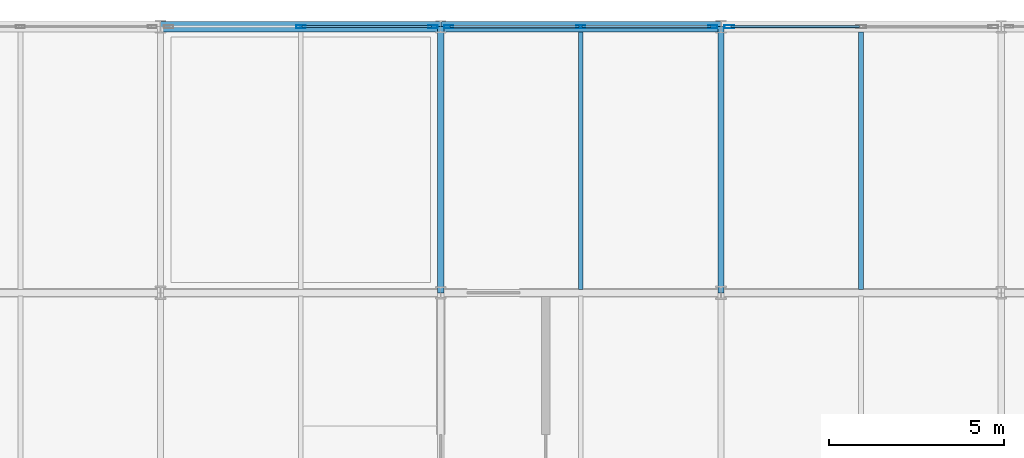
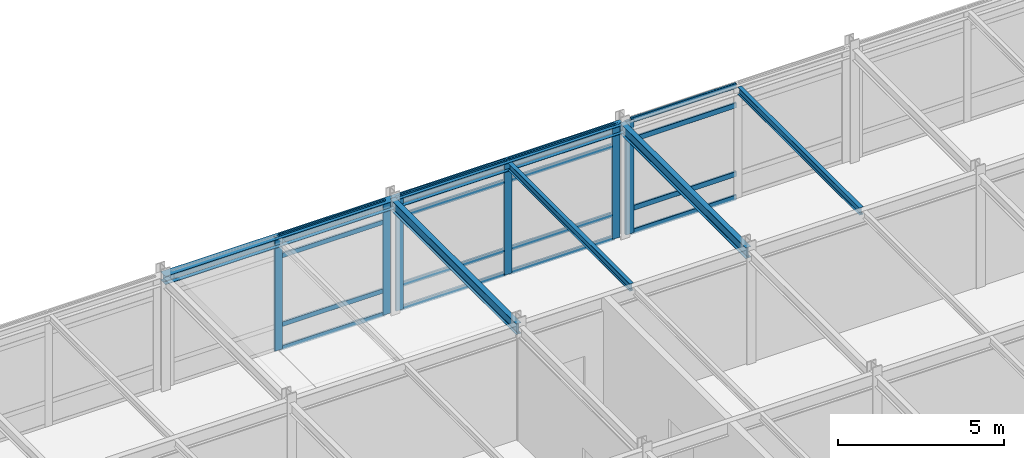
# One storey, part 9 of 16: 22 members, 6 beams, 3 elements without a shape of their own.
"""IFC4 building model written with IfcOpenShell, lengths in metres."""

from ifc_helpers import new_model, si_unit, direction, frame, origin, origin_2d, place, context, subcontext, project, spatial, hollow_rectangle, i_section, extrude, material, layer, layer_set, material_profile, profile_set, type_object, element, aggregate, save


model = new_model("IFC4")

# Units and contexts
model_context = context("Model", 3, precision=1e-05, world=origin(), true_north=direction((0.0, 1.0)))
body_context = subcontext(model_context, "Body", "Model", "MODEL_VIEW")
ifc_project = project(units=[si_unit("LENGTHUNIT", "METRE"), si_unit("AREAUNIT", "SQUARE_METRE"), si_unit("VOLUMEUNIT", "CUBIC_METRE"), si_unit("PLANEANGLEUNIT", "RADIAN"), si_unit("MASSUNIT", "GRAM", prefix="KILO")], contexts=[model_context])

# Site, building, storey
site_placement = place(None, origin())
site = spatial("IfcSite", under=ifc_project, at=site_placement, CompositionType="ELEMENT")
building_placement = place(site_placement, origin())
building = spatial("IfcBuilding", under=site, at=building_placement, Name="Shalkamar Park Central Library", CompositionType="ELEMENT")
storey_placement = place(building_placement, frame((0.0, 0.0, 51.60009765625)))
storey = spatial("IfcBuildingStorey", under=building, at=storey_placement, Name="L13", CompositionType="ELEMENT", Elevation=51.60009765625)

# Beams
ifc_material_1 = material(Name="Steel S355", Category="steel")
ifc_material_profile_1 = material_profile(ifc_material_1, i_section(OverallWidth=0.135009765625, OverallDepth=0.27001953125, WebThickness=0.006591796875, FlangeThickness=0.01025390625, FilletRadius=0.014892578125, at=origin_2d()), Name="IPE 270")
ifc_profile_set_1 = profile_set([ifc_material_profile_1], Name="Steel S355")
beam_type_1 = type_object("IfcBeamType", Name="Composite Floor Joist IPE270", PredefinedType="JOIST", material=ifc_profile_set_1)
for number, where, z_axis, x_axis, name in (
    (1, (193.0, 278.097900390625, 4.044921875), (0.0, 1.0, 0.0), (-1.0, 0.0, 0.0), "Composite Joist 10/F-1 (L13)"),
    (2, (201.0, 278.097900390625, 4.044921875), (0.0, 1.0, 0.0), (-1.0, 0.0, 0.0), "Composite Joist 11/F-1 (L13)"),
):
    element("IfcBeam", number, at=place(storey_placement, frame(where, z_axis=z_axis, x_axis=x_axis)), inside=storey, type_object=beam_type_1, Name=name, PredefinedType="JOIST", context=body_context, shape_type="SweptSolid", body=[
        extrude(i_section(OverallWidth=0.135009765625, OverallDepth=0.27001953125, WebThickness=0.006591796875, FlangeThickness=0.01025390625, FilletRadius=0.014892578125, at=origin_2d()), origin(), (0.0, 0.0, 1.0), 7.35400390625),
    ])

# Curtain wall, members
ifc_material_2 = material(Name="Thermally broken aluminium and triple low-e curtain wall", Category="aluminium")
ifc_layer_1 = layer(ifc_material_2, 0.27001953125)
ifc_layer_set_1 = layer_set([ifc_layer_1], Name="UnitisedCurtainWall_91")
curtain_wall_type_1 = type_object("IfcCurtainWallType", Name="Unitised Curtain Wall 91", PredefinedType="USERDEFINED", material=ifc_layer_set_1)
curtain_wall_1_placement = place(storey_placement, origin())
curtain_wall_1 = element("IfcCurtainWall", 3, at=curtain_wall_1_placement, inside=storey, type_object=curtain_wall_type_1, Name="Unitised Curtain Wall CW-L13-144", ObjectType="UNITISED CURTAIN WALL", PredefinedType="USERDEFINED")
ifc_material_3 = material(Name="Aluminium 6060-T66", Category="aluminium")
ifc_material_profile_2 = material_profile(ifc_material_3, hollow_rectangle(XDim=0.080078125, YDim=0.27001953125, WallThickness=0.0048828125, InnerFilletRadius=0.0048828125, OuterFilletRadius=0.007568359375, at=origin_2d()), Name="ALU 80x270x5")
ifc_profile_set_2 = profile_set([ifc_material_profile_2], Name="Aluminium 6060-T66")
member_type_1 = type_object("IfcMemberType", Name="Curtain Wall Mullion ALU80x270", PredefinedType="MULLION", material=ifc_profile_set_2)
member_1_placement = place(storey_placement, frame((185.00439453125, 285.60009765625, 0.0), z_axis=(0.0, 0.0, 1.0), x_axis=(0.0, 1.0, 0.0)))
member_1 = element("IfcMember", 4, at=member_1_placement, type_object=member_type_1, Name="CW-91 mullion 2", PredefinedType="MULLION", context=body_context, shape_type="SweptSolid", body=[
    extrude(hollow_rectangle(XDim=0.080078125, YDim=0.27001953125, WallThickness=0.0048828125, InnerFilletRadius=0.0048828125, OuterFilletRadius=0.007568359375, at=origin_2d()), origin(), (0.0, 0.0, 1.0), 4.179931640625),
])
member_2_placement = place(storey_placement, frame((188.776611328125, 285.60009765625, 0.0), z_axis=(0.0, 0.0, 1.0), x_axis=(0.0, 1.0, 0.0)))
member_2 = element("IfcMember", 5, at=member_2_placement, type_object=member_type_1, Name="CW-91 mullion 3", PredefinedType="MULLION", context=body_context, shape_type="SweptSolid", body=[
    extrude(hollow_rectangle(XDim=0.080078125, YDim=0.27001953125, WallThickness=0.0048828125, InnerFilletRadius=0.0048828125, OuterFilletRadius=0.007568359375, at=origin_2d()), origin(), (0.0, 0.0, 1.0), 4.179931640625),
])

ifc_layer_2 = layer(ifc_material_2, 0.264892578125)
ifc_layer_set_2 = layer_set([ifc_layer_2], Name="UnitisedCurtainWall_92")
curtain_wall_type_2 = type_object("IfcCurtainWallType", Name="Unitised Curtain Wall 92", PredefinedType="USERDEFINED", material=ifc_layer_set_2)
curtain_wall_2_placement = place(storey_placement, origin())
curtain_wall_2 = element("IfcCurtainWall", 6, at=curtain_wall_2_placement, inside=storey, type_object=curtain_wall_type_2, Name="Unitised Curtain Wall CW-L13-145", ObjectType="UNITISED CURTAIN WALL", PredefinedType="USERDEFINED")
ifc_material_profile_3 = material_profile(ifc_material_3, hollow_rectangle(XDim=0.0849609375, YDim=0.264892578125, WallThickness=0.0048828125, InnerFilletRadius=0.0048828125, OuterFilletRadius=0.007568359375, at=origin_2d()), Name="ALU 85x265x5")
ifc_profile_set_3 = profile_set([ifc_material_profile_3], Name="Aluminium 6060-T66")
member_type_2 = type_object("IfcMemberType", Name="Curtain Wall Mullion ALU85x265", PredefinedType="MULLION", material=ifc_profile_set_3)
member_3_placement = place(storey_placement, frame((189.22607421875, 285.60009765625, 0.0), z_axis=(0.0, 0.0, 1.0), x_axis=(0.0, 1.0, 0.0)))
member_3 = element("IfcMember", 7, at=member_3_placement, type_object=member_type_2, Name="CW-92 mullion 1", PredefinedType="MULLION", context=body_context, shape_type="SweptSolid", body=[
    extrude(hollow_rectangle(XDim=0.0849609375, YDim=0.264892578125, WallThickness=0.0048828125, InnerFilletRadius=0.0048828125, OuterFilletRadius=0.007568359375, at=origin_2d()), origin(), (0.0, 0.0, 1.0), 4.179931640625),
])
member_4_placement = place(storey_placement, frame((192.99560546875, 285.60009765625, 0.0), z_axis=(0.0, 0.0, 1.0), x_axis=(0.0, 1.0, 0.0)))
member_4 = element("IfcMember", 8, at=member_4_placement, type_object=member_type_2, Name="CW-92 mullion 2", PredefinedType="MULLION", context=body_context, shape_type="SweptSolid", body=[
    extrude(hollow_rectangle(XDim=0.0849609375, YDim=0.264892578125, WallThickness=0.0048828125, InnerFilletRadius=0.0048828125, OuterFilletRadius=0.007568359375, at=origin_2d()), origin(), (0.0, 0.0, 1.0), 4.179931640625),
])
member_5_placement = place(storey_placement, frame((196.764892578125, 285.60009765625, 0.0), z_axis=(0.0, 0.0, 1.0), x_axis=(0.0, 1.0, 0.0)))
member_5 = element("IfcMember", 9, at=member_5_placement, type_object=member_type_2, Name="CW-92 mullion 3", PredefinedType="MULLION", context=body_context, shape_type="SweptSolid", body=[
    extrude(hollow_rectangle(XDim=0.0849609375, YDim=0.264892578125, WallThickness=0.0048828125, InnerFilletRadius=0.0048828125, OuterFilletRadius=0.007568359375, at=origin_2d()), origin(), (0.0, 0.0, 1.0), 4.179931640625),
])

# Curtain wall, member
ifc_layer_3 = layer(ifc_material_2, 0.280029296875)
ifc_layer_set_3 = layer_set([ifc_layer_3], Name="UnitisedCurtainWall_93")
curtain_wall_type_3 = type_object("IfcCurtainWallType", Name="Unitised Curtain Wall 93", PredefinedType="USERDEFINED", material=ifc_layer_set_3)
curtain_wall_3_placement = place(storey_placement, origin())
curtain_wall_3 = element("IfcCurtainWall", 10, at=curtain_wall_3_placement, inside=storey, type_object=curtain_wall_type_3, Name="Unitised Curtain Wall CW-L13-146", ObjectType="UNITISED CURTAIN WALL", PredefinedType="USERDEFINED")
ifc_material_profile_4 = material_profile(ifc_material_3, hollow_rectangle(XDim=0.090087890625, YDim=0.280029296875, WallThickness=0.0048828125, InnerFilletRadius=0.0048828125, OuterFilletRadius=0.007568359375, at=origin_2d()), Name="ALU 90x280x5")
ifc_profile_set_4 = profile_set([ifc_material_profile_4], Name="Aluminium 6060-T66")
member_type_3 = type_object("IfcMemberType", Name="Curtain Wall Mullion ALU90x280", PredefinedType="MULLION", material=ifc_profile_set_4)
member_6_placement = place(storey_placement, frame((197.237548828125, 285.60009765625, 0.0), z_axis=(0.0, 0.0, 1.0), x_axis=(0.0, 1.0, 0.0)))
member_6 = element("IfcMember", 11, at=member_6_placement, type_object=member_type_3, Name="CW-93 mullion 1", PredefinedType="MULLION", context=body_context, shape_type="SweptSolid", body=[
    extrude(hollow_rectangle(XDim=0.090087890625, YDim=0.280029296875, WallThickness=0.0048828125, InnerFilletRadius=0.0048828125, OuterFilletRadius=0.007568359375, at=origin_2d()), origin(), (0.0, 0.0, 1.0), 4.179931640625),
])

# Member
ifc_material_profile_5 = material_profile(ifc_material_3, hollow_rectangle(XDim=0.06494140625, YDim=0.175048828125, WallThickness=0.00439453125, InnerFilletRadius=0.00439453125, OuterFilletRadius=0.0068359375, at=origin_2d()), Name="ALU 65x175x4.5")
ifc_profile_set_5 = profile_set([ifc_material_profile_5], Name="Aluminium 6060-T66")
member_type_4 = type_object("IfcMemberType", Name="Curtain Wall Transom ALU65x175", PredefinedType="USERDEFINED", material=ifc_profile_set_5)
member_7_placement = place(storey_placement, frame((185.04443359375, 285.60009765625, 0.032470703125), z_axis=(1.0, 0.0, 0.0), x_axis=(0.0, 1.0, 0.0)))
member_7 = element("IfcMember", 12, at=member_7_placement, type_object=member_type_4, Name="CW-91 transom 2.1", ObjectType="TRANSOM", PredefinedType="USERDEFINED", context=body_context, shape_type="SweptSolid", body=[
    extrude(hollow_rectangle(XDim=0.06494140625, YDim=0.175048828125, WallThickness=0.00439453125, InnerFilletRadius=0.00439453125, OuterFilletRadius=0.0068359375, at=origin_2d()), origin(), (0.0, 0.0, 1.0), 3.692138671875),
])

member_8_placement = place(storey_placement, frame((185.04443359375, 285.60009765625, 0.89990234375), z_axis=(1.0, 0.0, 0.0), x_axis=(0.0, 1.0, 0.0)))
member_8 = element("IfcMember", 13, at=member_8_placement, type_object=member_type_4, Name="CW-91 transom 2.2", ObjectType="TRANSOM", PredefinedType="USERDEFINED", context=body_context, shape_type="SweptSolid", body=[
    extrude(hollow_rectangle(XDim=0.06494140625, YDim=0.175048828125, WallThickness=0.00439453125, InnerFilletRadius=0.00439453125, OuterFilletRadius=0.0068359375, at=origin_2d()), origin(), (0.0, 0.0, 1.0), 3.692138671875),
])

member_9_placement = place(storey_placement, frame((185.04443359375, 285.60009765625, 3.429931640625), z_axis=(1.0, 0.0, 0.0), x_axis=(0.0, 1.0, 0.0)))
member_9 = element("IfcMember", 14, at=member_9_placement, type_object=member_type_4, Name="CW-91 transom 2.3", ObjectType="TRANSOM", PredefinedType="USERDEFINED", context=body_context, shape_type="SweptSolid", body=[
    extrude(hollow_rectangle(XDim=0.06494140625, YDim=0.175048828125, WallThickness=0.00439453125, InnerFilletRadius=0.00439453125, OuterFilletRadius=0.0068359375, at=origin_2d()), origin(), (0.0, 0.0, 1.0), 3.692138671875),
])

member_10_placement = place(storey_placement, frame((185.04443359375, 285.60009765625, 4.1474609375), z_axis=(1.0, 0.0, 0.0), x_axis=(0.0, 1.0, 0.0)))
member_10 = element("IfcMember", 15, at=member_10_placement, type_object=member_type_4, Name="CW-91 transom 2.4", ObjectType="TRANSOM", PredefinedType="USERDEFINED", context=body_context, shape_type="SweptSolid", body=[
    extrude(hollow_rectangle(XDim=0.06494140625, YDim=0.175048828125, WallThickness=0.00439453125, InnerFilletRadius=0.00439453125, OuterFilletRadius=0.0068359375, at=origin_2d()), origin(), (0.0, 0.0, 1.0), 3.692138671875),
])

aggregate(curtain_wall_1, [member_1, member_2, member_7, member_8, member_9, member_10])

ifc_material_profile_6 = material_profile(ifc_material_3, hollow_rectangle(XDim=0.070068359375, YDim=0.179931640625, WallThickness=0.00439453125, InnerFilletRadius=0.00439453125, OuterFilletRadius=0.0068359375, at=origin_2d()), Name="ALU 70x180x4.5")
ifc_profile_set_6 = profile_set([ifc_material_profile_6], Name="Aluminium 6060-T66")
member_type_5 = type_object("IfcMemberType", Name="Curtain Wall Transom ALU70x180", PredefinedType="USERDEFINED", material=ifc_profile_set_6)
member_11_placement = place(storey_placement, frame((189.2685546875, 285.60009765625, 0.034912109375), z_axis=(1.0, 0.0, 0.0), x_axis=(0.0, 1.0, 0.0)))
member_11 = element("IfcMember", 16, at=member_11_placement, type_object=member_type_5, Name="CW-92 transom 1.1", ObjectType="TRANSOM", PredefinedType="USERDEFINED", context=body_context, shape_type="SweptSolid", body=[
    extrude(hollow_rectangle(XDim=0.070068359375, YDim=0.179931640625, WallThickness=0.00439453125, InnerFilletRadius=0.00439453125, OuterFilletRadius=0.0068359375, at=origin_2d()), origin(), (0.0, 0.0, 1.0), 3.684326171875),
])

member_12_placement = place(storey_placement, frame((189.2685546875, 285.60009765625, 0.89990234375), z_axis=(1.0, 0.0, 0.0), x_axis=(0.0, 1.0, 0.0)))
member_12 = element("IfcMember", 17, at=member_12_placement, type_object=member_type_5, Name="CW-92 transom 1.2", ObjectType="TRANSOM", PredefinedType="USERDEFINED", context=body_context, shape_type="SweptSolid", body=[
    extrude(hollow_rectangle(XDim=0.070068359375, YDim=0.179931640625, WallThickness=0.00439453125, InnerFilletRadius=0.00439453125, OuterFilletRadius=0.0068359375, at=origin_2d()), origin(), (0.0, 0.0, 1.0), 3.684326171875),
])

member_13_placement = place(storey_placement, frame((189.2685546875, 285.60009765625, 3.429931640625), z_axis=(1.0, 0.0, 0.0), x_axis=(0.0, 1.0, 0.0)))
member_13 = element("IfcMember", 18, at=member_13_placement, type_object=member_type_5, Name="CW-92 transom 1.3", ObjectType="TRANSOM", PredefinedType="USERDEFINED", context=body_context, shape_type="SweptSolid", body=[
    extrude(hollow_rectangle(XDim=0.070068359375, YDim=0.179931640625, WallThickness=0.00439453125, InnerFilletRadius=0.00439453125, OuterFilletRadius=0.0068359375, at=origin_2d()), origin(), (0.0, 0.0, 1.0), 3.684326171875),
])

member_14_placement = place(storey_placement, frame((189.2685546875, 285.60009765625, 4.14501953125), z_axis=(1.0, 0.0, 0.0), x_axis=(0.0, 1.0, 0.0)))
member_14 = element("IfcMember", 19, at=member_14_placement, type_object=member_type_5, Name="CW-92 transom 1.4", ObjectType="TRANSOM", PredefinedType="USERDEFINED", context=body_context, shape_type="SweptSolid", body=[
    extrude(hollow_rectangle(XDim=0.070068359375, YDim=0.179931640625, WallThickness=0.00439453125, InnerFilletRadius=0.00439453125, OuterFilletRadius=0.0068359375, at=origin_2d()), origin(), (0.0, 0.0, 1.0), 3.684326171875),
])

member_15_placement = place(storey_placement, frame((193.0380859375, 285.60009765625, 0.034912109375), z_axis=(1.0, 0.0, 0.0), x_axis=(0.0, 1.0, 0.0)))
member_15 = element("IfcMember", 20, at=member_15_placement, type_object=member_type_5, Name="CW-92 transom 2.1", ObjectType="TRANSOM", PredefinedType="USERDEFINED", context=body_context, shape_type="SweptSolid", body=[
    extrude(hollow_rectangle(XDim=0.070068359375, YDim=0.179931640625, WallThickness=0.00439453125, InnerFilletRadius=0.00439453125, OuterFilletRadius=0.0068359375, at=origin_2d()), origin(), (0.0, 0.0, 1.0), 3.684326171875),
])

member_16_placement = place(storey_placement, frame((193.0380859375, 285.60009765625, 0.89990234375), z_axis=(1.0, 0.0, 0.0), x_axis=(0.0, 1.0, 0.0)))
member_16 = element("IfcMember", 21, at=member_16_placement, type_object=member_type_5, Name="CW-92 transom 2.2", ObjectType="TRANSOM", PredefinedType="USERDEFINED", context=body_context, shape_type="SweptSolid", body=[
    extrude(hollow_rectangle(XDim=0.070068359375, YDim=0.179931640625, WallThickness=0.00439453125, InnerFilletRadius=0.00439453125, OuterFilletRadius=0.0068359375, at=origin_2d()), origin(), (0.0, 0.0, 1.0), 3.684326171875),
])

member_17_placement = place(storey_placement, frame((193.0380859375, 285.60009765625, 3.429931640625), z_axis=(1.0, 0.0, 0.0), x_axis=(0.0, 1.0, 0.0)))
member_17 = element("IfcMember", 22, at=member_17_placement, type_object=member_type_5, Name="CW-92 transom 2.3", ObjectType="TRANSOM", PredefinedType="USERDEFINED", context=body_context, shape_type="SweptSolid", body=[
    extrude(hollow_rectangle(XDim=0.070068359375, YDim=0.179931640625, WallThickness=0.00439453125, InnerFilletRadius=0.00439453125, OuterFilletRadius=0.0068359375, at=origin_2d()), origin(), (0.0, 0.0, 1.0), 3.684326171875),
])

member_18_placement = place(storey_placement, frame((193.0380859375, 285.60009765625, 4.14501953125), z_axis=(1.0, 0.0, 0.0), x_axis=(0.0, 1.0, 0.0)))
member_18 = element("IfcMember", 23, at=member_18_placement, type_object=member_type_5, Name="CW-92 transom 2.4", ObjectType="TRANSOM", PredefinedType="USERDEFINED", context=body_context, shape_type="SweptSolid", body=[
    extrude(hollow_rectangle(XDim=0.070068359375, YDim=0.179931640625, WallThickness=0.00439453125, InnerFilletRadius=0.00439453125, OuterFilletRadius=0.0068359375, at=origin_2d()), origin(), (0.0, 0.0, 1.0), 3.684326171875),
])

aggregate(curtain_wall_2, [member_3, member_4, member_5, member_11, member_12, member_13, member_14, member_15, member_16, member_17, member_18])

ifc_material_profile_7 = material_profile(ifc_material_3, hollow_rectangle(XDim=0.070068359375, YDim=0.18994140625, WallThickness=0.0048828125, InnerFilletRadius=0.0048828125, OuterFilletRadius=0.007568359375, at=origin_2d()), Name="ALU 70x190x5")
ifc_profile_set_7 = profile_set([ifc_material_profile_7], Name="Aluminium 6060-T66")
member_type_6 = type_object("IfcMemberType", Name="Curtain Wall Transom ALU70x190", PredefinedType="USERDEFINED", material=ifc_profile_set_7)
member_19_placement = place(storey_placement, frame((197.282470703125, 285.60009765625, 0.034912109375), z_axis=(1.0, 0.0, 0.0), x_axis=(0.0, 1.0, 0.0)))
member_19 = element("IfcMember", 24, at=member_19_placement, type_object=member_type_6, Name="CW-93 transom 1.1", ObjectType="TRANSOM", PredefinedType="USERDEFINED", context=body_context, shape_type="SweptSolid", body=[
    extrude(hollow_rectangle(XDim=0.070068359375, YDim=0.18994140625, WallThickness=0.0048828125, InnerFilletRadius=0.0048828125, OuterFilletRadius=0.007568359375, at=origin_2d()), origin(), (0.0, 0.0, 1.0), 3.677001953125),
])

member_20_placement = place(storey_placement, frame((197.282470703125, 285.60009765625, 0.89990234375), z_axis=(1.0, 0.0, 0.0), x_axis=(0.0, 1.0, 0.0)))
member_20 = element("IfcMember", 25, at=member_20_placement, type_object=member_type_6, Name="CW-93 transom 1.2", ObjectType="TRANSOM", PredefinedType="USERDEFINED", context=body_context, shape_type="SweptSolid", body=[
    extrude(hollow_rectangle(XDim=0.070068359375, YDim=0.18994140625, WallThickness=0.0048828125, InnerFilletRadius=0.0048828125, OuterFilletRadius=0.007568359375, at=origin_2d()), origin(), (0.0, 0.0, 1.0), 3.677001953125),
])

member_21_placement = place(storey_placement, frame((197.282470703125, 285.60009765625, 3.429931640625), z_axis=(1.0, 0.0, 0.0), x_axis=(0.0, 1.0, 0.0)))
member_21 = element("IfcMember", 26, at=member_21_placement, type_object=member_type_6, Name="CW-93 transom 1.3", ObjectType="TRANSOM", PredefinedType="USERDEFINED", context=body_context, shape_type="SweptSolid", body=[
    extrude(hollow_rectangle(XDim=0.070068359375, YDim=0.18994140625, WallThickness=0.0048828125, InnerFilletRadius=0.0048828125, OuterFilletRadius=0.007568359375, at=origin_2d()), origin(), (0.0, 0.0, 1.0), 3.677001953125),
])

member_22_placement = place(storey_placement, frame((197.282470703125, 285.60009765625, 4.14501953125), z_axis=(1.0, 0.0, 0.0), x_axis=(0.0, 1.0, 0.0)))
member_22 = element("IfcMember", 27, at=member_22_placement, type_object=member_type_6, Name="CW-93 transom 1.4", ObjectType="TRANSOM", PredefinedType="USERDEFINED", context=body_context, shape_type="SweptSolid", body=[
    extrude(hollow_rectangle(XDim=0.070068359375, YDim=0.18994140625, WallThickness=0.0048828125, InnerFilletRadius=0.0048828125, OuterFilletRadius=0.007568359375, at=origin_2d()), origin(), (0.0, 0.0, 1.0), 3.677001953125),
])

aggregate(curtain_wall_3, [member_6, member_19, member_20, member_21, member_22])

# Beams
ifc_material_profile_8 = material_profile(ifc_material_1, i_section(OverallWidth=0.300048828125, OverallDepth=0.31005859375, WebThickness=0.009033203125, FlangeThickness=0.015380859375, FilletRadius=0.027099609375, at=origin_2d()), Name="HEA 320")
ifc_profile_set_8 = profile_set([ifc_material_profile_8], Name="Steel S355")
beam_type_2 = type_object("IfcBeamType", Name="Perimeter Spandrel Beam HEA320", PredefinedType="SPANDREL", material=ifc_profile_set_8)
for number, where, z_axis, x_axis, name in (
    (28, (181.0, 285.60009765625, 4.02490234375), (1.0, 0.0, 0.0), (0.0, 1.0, 0.0), "Beam G:09-10 (L13)"),
    (29, (189.0, 285.60009765625, 4.02490234375), (1.0, 0.0, 0.0), (0.0, 1.0, 0.0), "Beam G:10-11 (L13)"),
):
    element("IfcBeam", number, at=place(storey_placement, frame(where, z_axis=z_axis, x_axis=x_axis)), inside=storey, type_object=beam_type_2, Name=name, PredefinedType="SPANDREL", context=body_context, shape_type="SweptSolid", body=[
        extrude(i_section(OverallWidth=0.300048828125, OverallDepth=0.31005859375, WebThickness=0.009033203125, FlangeThickness=0.015380859375, FilletRadius=0.027099609375, at=origin_2d()), origin(), (0.0, 0.0, 1.0), 8.0),
    ])
ifc_material_profile_9 = material_profile(ifc_material_1, i_section(OverallWidth=0.179931640625, OverallDepth=0.39990234375, WebThickness=0.008544921875, FlangeThickness=0.013427734375, FilletRadius=0.02099609375, at=origin_2d()), Name="IPE 400")
ifc_profile_set_9 = profile_set([ifc_material_profile_9], Name="Steel S355")
beam_type_3 = type_object("IfcBeamType", Name="Primary Girder IPE400", PredefinedType="BEAM", material=ifc_profile_set_9)
for number, where, z_axis, x_axis, name in (
    (30, (189.0, 278.0, 3.97998046875), (0.0, 1.0, 0.0), (-1.0, 0.0, 0.0), "Beam 10:F-G (L13)"),
    (31, (197.0, 278.0, 3.97998046875), (0.0, 1.0, 0.0), (-1.0, 0.0, 0.0), "Beam 11:F-G (L13)"),
):
    element("IfcBeam", number, at=place(storey_placement, frame(where, z_axis=z_axis, x_axis=x_axis)), inside=storey, type_object=beam_type_3, Name=name, PredefinedType="BEAM", context=body_context, shape_type="SweptSolid", body=[
        extrude(i_section(OverallWidth=0.179931640625, OverallDepth=0.39990234375, WebThickness=0.008544921875, FlangeThickness=0.013427734375, FilletRadius=0.02099609375, at=origin_2d()), origin(), (0.0, 0.0, 1.0), 7.60009765625),
    ])

save(model, "model.ifc")
